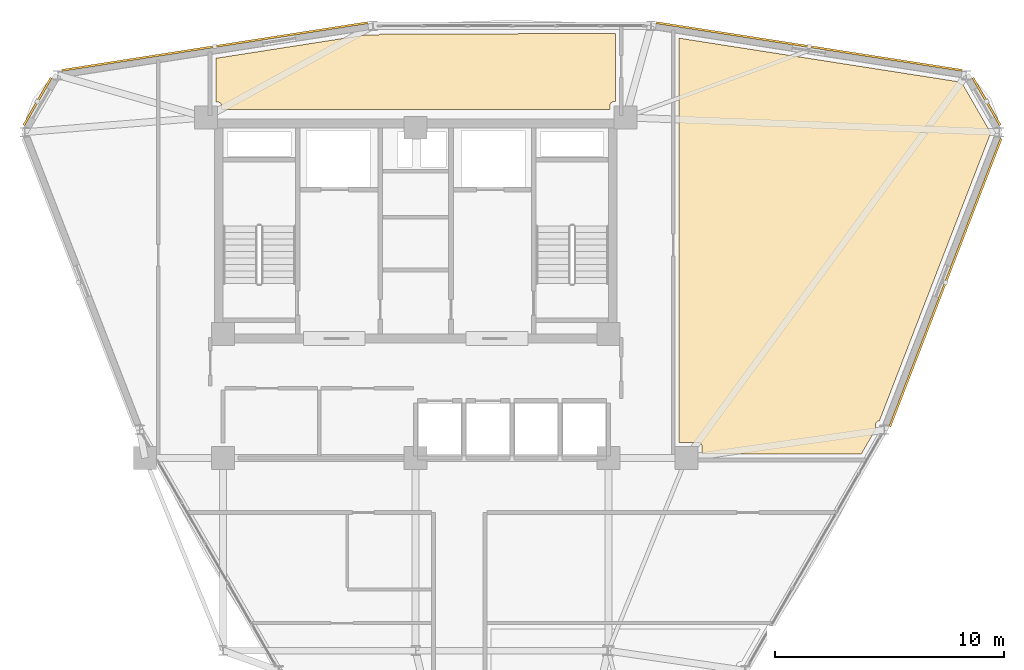
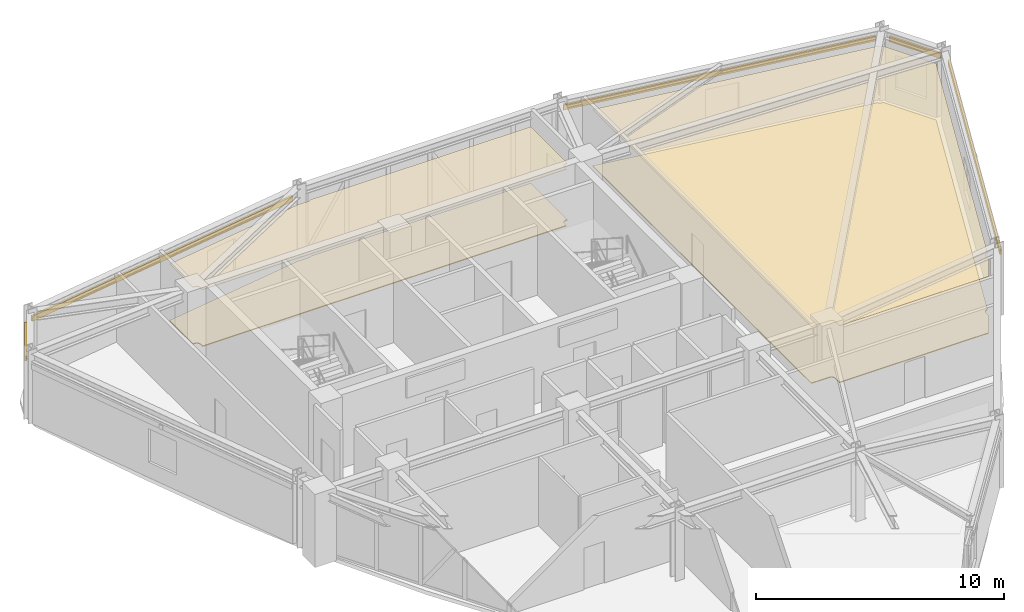
# One storey, part 16 of 16: 5 shading devices, 4 coverings.
"""IFC4 building model written with IfcOpenShell, lengths in metres."""

import ifcopenshell
import ifcopenshell.guid

model = None  # the IFC model being written
_history = None  # IfcOwnerHistory: only IFC2X3 demands one
_inside = {}  # id of a spatial element -> (the spatial element, [elements in it])
_under = {}  # id of a project, library or spatial element -> (it, [spatial elements below it])
_declared = {}  # id of a project -> (the project, [libraries it declares])
_typed = {}  # id of a type object -> (the type object, [elements of that type])
_made_of = {}  # id of a material, layer set ... -> (it, [elements and type objects made of it])


def new_model(schema):
    """Start an empty IFC model of exactly this schema.

    Asked for "IFC4X3", IfcOpenShell would pick the latest addendum, in which some entities
    have other attributes; the version numbers below select the first issue.
    IFC2X3 requires an IfcOwnerHistory on every rooted entity: one is made here for all.
    """
    global model, _history
    if schema == "IFC4X3":
        model = ifcopenshell.file(schema_version=(4, 3, 0, 0))
    else:
        model = ifcopenshell.file(schema=schema)
    _inside.clear()
    _under.clear()
    _declared.clear()
    _typed.clear()
    _made_of.clear()
    _history = None
    if model.schema == "IFC2X3":
        org = make("IfcOrganization", Name="unknown")
        user = make(
            "IfcPersonAndOrganization",
            ThePerson=make("IfcPerson", FamilyName="unknown"),
            TheOrganization=org,
        )
        app = make(
            "IfcApplication",
            ApplicationDeveloper=org,
            Version="unknown",
            ApplicationFullName="unknown",
            ApplicationIdentifier="unknown",
        )
        _history = make(
            "IfcOwnerHistory",
            OwningUser=user,
            OwningApplication=app,
            ChangeAction="ADDED",
            CreationDate=0,
        )
    return model


def make(cls, **values):
    """One entity of the class cls with the attributes given. An attribute that is None is left unset."""
    return model.create_entity(
        cls, **{name: value for name, value in values.items() if value is not None}
    )


def rooted(cls, **values):
    """An entity with a GlobalId (a new one), such as an element, a storey or a relation."""
    return make(cls, GlobalId=ifcopenshell.guid.new(), OwnerHistory=_history, **values)


def si_unit(unit_type, name, prefix=None):
    """IfcSIUnit, for example si_unit("LENGTHUNIT", "METRE", prefix="MILLI")."""
    return make("IfcSIUnit", UnitType=unit_type, Prefix=prefix, Name=name)


def derived_unit(unit_type, elements):
    """IfcDerivedUnit: a product of units, each with its exponent."""
    return make(
        "IfcDerivedUnit",
        Elements=[
            make("IfcDerivedUnitElement", Unit=unit, Exponent=power)
            for unit, power in elements
        ],
        UnitType=unit_type,
    )


def assignment(units):
    """IfcUnitAssignment: the units of a project."""
    return None if units is None else make("IfcUnitAssignment", Units=units)


def point(xyz):
    """IfcCartesianPoint."""
    return None if xyz is None else make("IfcCartesianPoint", Coordinates=xyz)


def direction(xyz):
    """IfcDirection."""
    return None if xyz is None else make("IfcDirection", DirectionRatios=xyz)


def frame(location, z_axis=None, x_axis=None):
    """IfcAxis2Placement3D, a coordinate frame: its origin and axes. An axis left out is left unset."""
    return make(
        "IfcAxis2Placement3D",
        Location=point(location),
        Axis=direction(z_axis),
        RefDirection=direction(x_axis),
    )


def frame_2d(location, x_axis=None):
    """IfcAxis2Placement2D, a coordinate frame in the plane: its origin and x axis."""
    return make(
        "IfcAxis2Placement2D", Location=point(location), RefDirection=direction(x_axis)
    )


def origin():
    """The frame at (0, 0, 0) with its axes left unset."""
    return frame((0.0, 0.0, 0.0))


def origin_2d():
    """The frame at (0, 0) in the plane with its x axis left unset."""
    return frame_2d((0.0, 0.0))


def place(relative_to, where):
    """IfcLocalPlacement: puts the frame where relative to a parent placement (None: the world)."""
    return make(
        "IfcLocalPlacement", PlacementRelTo=relative_to, RelativePlacement=where
    )


def context(
    kind, dimensions, precision=None, world=None, true_north=None, identifier=None
):
    """IfcGeometricRepresentationContext, for example the 3D "Model" context."""
    return make(
        "IfcGeometricRepresentationContext",
        ContextIdentifier=identifier,
        ContextType=kind,
        CoordinateSpaceDimension=dimensions,
        Precision=precision,
        WorldCoordinateSystem=world,
        TrueNorth=true_north,
    )


def subcontext(parent, identifier, kind, view, scale=None):
    """IfcGeometricRepresentationSubContext, for example "Body" below "Model"."""
    return make(
        "IfcGeometricRepresentationSubContext",
        ContextIdentifier=identifier,
        ContextType=kind,
        ParentContext=parent,
        TargetScale=scale,
        TargetView=view,
    )


def project(units=None, contexts=None):
    """IfcProject with its units and contexts."""
    return rooted(
        "IfcProject",
        Name="project",
        RepresentationContexts=contexts,
        UnitsInContext=assignment(units),
    )


def spatial(cls, under=None, at=None, **own):
    """A site, building, storey or space (cls), placed at a placement, below another one or the project."""
    s = rooted(cls, ObjectPlacement=at, **own)
    if under is not None:
        _under.setdefault(under.id(), (under, []))[1].append(s)
    return s


def polyline(points):
    """IfcPolyline through the points."""
    return make("IfcPolyline", Points=[point(p) for p in points])


def profile(cls, at=None, kind="AREA", **sizes):
    """A parametric profile (cls). Its sizes go by their IFC names, for example OverallWidth=200.0."""
    return make(cls, ProfileType=kind, Position=at, **sizes)


def hollow_rectangle(**sizes):
    """IfcRectangleHollowProfileDef."""
    return profile("IfcRectangleHollowProfileDef", **sizes)


def outline(outer, holes=None, kind="AREA"):
    """IfcArbitraryClosedProfileDef: a profile drawn as a closed curve; with holes, ...WithVoids."""
    if holes is None:
        return make("IfcArbitraryClosedProfileDef", ProfileType=kind, OuterCurve=outer)
    return make(
        "IfcArbitraryProfileDefWithVoids",
        ProfileType=kind,
        OuterCurve=outer,
        InnerCurves=holes,
    )


def extrude(swept, where, along, depth):
    """IfcExtrudedAreaSolid: the profile swept, set in the frame where, extruded along a direction by depth."""
    return make(
        "IfcExtrudedAreaSolid",
        SweptArea=swept,
        Position=where,
        ExtrudedDirection=direction(along),
        Depth=depth,
    )


def shape(context_of_items, identifier, shape_type, items):
    """IfcShapeRepresentation: the items that make up one representation, for example the "Body"."""
    return make(
        "IfcShapeRepresentation",
        ContextOfItems=context_of_items,
        RepresentationIdentifier=identifier,
        RepresentationType=shape_type,
        Items=items,
    )


def source(mapping_origin, context_of_items, identifier, shape_type, items):
    """IfcRepresentationMap: a shape defined once, which mapped items show again and again."""
    return make(
        "IfcRepresentationMap",
        MappingOrigin=mapping_origin,
        MappedRepresentation=shape(context_of_items, identifier, shape_type, items),
    )


def transform(
    local_origin,
    x_axis=None,
    y_axis=None,
    z_axis=None,
    scale=None,
    scale2=None,
    scale3=None,
    uniform=True,
):
    """IfcCartesianTransformationOperator3D, or its non-uniform kind. x_axis, y_axis, z_axis: its Axis1, 2, 3."""
    if uniform:
        return make(
            "IfcCartesianTransformationOperator3D",
            Axis1=direction(x_axis),
            Axis2=direction(y_axis),
            LocalOrigin=point(local_origin),
            Scale=scale,
            Axis3=direction(z_axis),
        )
    return make(
        "IfcCartesianTransformationOperator3DnonUniform",
        Axis1=direction(x_axis),
        Axis2=direction(y_axis),
        LocalOrigin=point(local_origin),
        Scale=scale,
        Axis3=direction(z_axis),
        Scale2=scale2,
        Scale3=scale3,
    )


def mapped(mapping_source, mapping_target):
    """IfcMappedItem: shows the shape of a source again, moved by a transform."""
    return make(
        "IfcMappedItem", MappingSource=mapping_source, MappingTarget=mapping_target
    )


def material(Name=None, Category=None):
    """IfcMaterial."""
    return make("IfcMaterial", Name=Name, Category=Category)


def layer(
    of_material, thickness, ventilated=None, Name=None, Category=None, Priority=None
):
    """IfcMaterialLayer: one layer of a wall or slab, of a material (None: an air gap)."""
    return make(
        "IfcMaterialLayer",
        Material=of_material,
        LayerThickness=thickness,
        IsVentilated=ventilated,
        Name=Name,
        Category=Category,
        Priority=Priority,
    )


def layer_set(layers, Name=None):
    """IfcMaterialLayerSet."""
    return make("IfcMaterialLayerSet", MaterialLayers=layers, LayerSetName=Name)


def material_profile(
    of_material, cross_section, Name=None, Category=None, Priority=None
):
    """IfcMaterialProfile: a cross section and its material."""
    return make(
        "IfcMaterialProfile",
        Name=Name,
        Material=of_material,
        Profile=cross_section,
        Priority=Priority,
        Category=Category,
    )


def profile_set(profiles, Name=None, composite=None):
    """IfcMaterialProfileSet."""
    return make(
        "IfcMaterialProfileSet",
        Name=Name,
        MaterialProfiles=profiles,
        CompositeProfile=composite,
    )


def made_of(thing, what):
    """Note that an element or type object is made of a material, layer set ...; save() writes the relation."""
    if what is not None:
        _made_of.setdefault(what.id(), (what, []))[1].append(thing)
    return thing


def type_object(cls, material=None, **own):
    """A type object (cls), such as IfcWallType, which elements share."""
    return made_of(rooted(cls, **own), material)


def element(
    cls,
    number,
    at=None,
    inside=None,
    cuts=None,
    type_object=None,
    material=None,
    context=None,
    identifier="Body",
    shape_type=None,
    held_by="IfcProductDefinitionShape",
    body=None,
    shapes=None,
    **own,
):
    """One element of the class cls, such as IfcWall. Its Tag is "e" and its number.

    at: its placement. inside: the storey or other place that contains it. cuts: it is an
    opening in that element (IfcRelVoidsElement). A single representation is given by context,
    identifier, shape_type and body (its items); several are given by shapes. held_by: the class
    of the entity that holds the representations. save() writes the other relations.
    """
    e = rooted(cls, Tag="e%d" % number, ObjectPlacement=at, **own)
    if body is not None:
        shapes = [shape(context, identifier, shape_type, body)]
    if shapes is not None:
        e.Representation = make(held_by, Representations=shapes)
    if inside is not None:
        _inside.setdefault(inside.id(), (inside, []))[1].append(e)
    if cuts is not None:
        rooted(
            "IfcRelVoidsElement", RelatingBuildingElement=cuts, RelatedOpeningElement=e
        )
    if type_object is not None:
        _typed.setdefault(type_object.id(), (type_object, []))[1].append(e)
    return made_of(e, material)


def aggregate(whole, parts):
    """IfcRelAggregates: a whole, such as a stair, and the parts it consists of."""
    return rooted("IfcRelAggregates", RelatingObject=whole, RelatedObjects=parts)


def save(model, path):
    """Write the relations noted so far, then the file.

    IfcRelAggregates (storeys below a building ...), IfcRelContainedInSpatialStructure (elements
    in a storey), IfcRelDefinesByType, IfcRelAssociatesMaterial and IfcRelDeclares: one each for
    every whole, place, type object, material and project.
    """
    for whole, parts in _under.values():
        aggregate(whole, parts)
    for where, things in _inside.values():
        rooted(
            "IfcRelContainedInSpatialStructure",
            RelatedElements=things,
            RelatingStructure=where,
        )
    for kind, things in _typed.values():
        rooted("IfcRelDefinesByType", RelatedObjects=things, RelatingType=kind)
    for what, things in _made_of.values():
        rooted("IfcRelAssociatesMaterial", RelatedObjects=things, RelatingMaterial=what)
    for by, libraries in _declared.values():
        rooted("IfcRelDeclares", RelatingContext=by, RelatedDefinitions=libraries)
    model.write(path)


model = new_model("IFC4")

# Units and contexts
model_context = context("Model", 3, precision=1e-05, world=origin(), true_north=direction((0.0, 1.0)))
body_context = subcontext(model_context, "Body", "Model", "MODEL_VIEW")
ifc_project = project(units=[si_unit("LENGTHUNIT", "METRE"), si_unit("AREAUNIT", "SQUARE_METRE"), si_unit("VOLUMEUNIT", "CUBIC_METRE"), si_unit("PLANEANGLEUNIT", "RADIAN"), si_unit("MASSUNIT", "GRAM", prefix="KILO"), derived_unit("THERMALTRANSMITTANCEUNIT", [(si_unit("POWERUNIT", "WATT"), 1), (si_unit("LENGTHUNIT", "METRE"), -2), (si_unit("THERMODYNAMICTEMPERATUREUNIT", "KELVIN"), -1)])], contexts=[model_context])

# Site, building, storey
site_placement = place(None, origin())
site = spatial("IfcSite", under=ifc_project, at=site_placement, CompositionType="ELEMENT")
building_placement = place(site_placement, origin())
building = spatial("IfcBuilding", under=site, at=building_placement, Name="Korsvarv Bourse and Concert Hall", CompositionType="ELEMENT")
storey_placement = place(building_placement, frame((0.0, 0.0, 231.0)))
storey = spatial("IfcBuildingStorey", under=building, at=storey_placement, Name="L60", CompositionType="ELEMENT", Elevation=231.0)

# Coverings
ifc_material_1 = material(Name="Perforated mineral-wool and birch acoustic baffle ceiling", Category="wood")
ifc_layer_1 = layer(ifc_material_1, 0.02490234375)
ifc_layer_set_1 = layer_set([ifc_layer_1], Name="Perforated mineral-wool and birch acoustic baffle ceiling")
covering_type_1 = type_object("IfcCoveringType", Name="COV-CEIL-1", PredefinedType="CEILING", material=ifc_layer_set_1)
covering_1_placement = place(storey_placement, frame((0.0, 0.0, 2.7900390625)))
element("IfcCovering", 1, at=covering_1_placement, inside=storey, type_object=covering_type_1, Name="L60 acoustic baffle ceiling 1", PredefinedType="CEILING", context=body_context, shape_type="SweptSolid", body=[
    extrude(outline(polyline([(48.489990234375, 32.570068359375), (48.489990234375, 32.89990234375), (48.486572265625, 32.934814453125), (48.4765625, 32.968505859375), (48.4599609375, 32.99951171875), (48.43798828125, 33.026611328125), (48.410888671875, 33.049072265625), (48.380126953125, 33.06591796875), (48.3466796875, 33.076171875), (48.311767578125, 33.080078125), (47.47998046875, 33.088134765625), (47.47998046875, 50.70703125), (59.6337890625, 48.81201171875), (59.647705078125, 48.78759765625), (59.6708984375, 48.760009765625), (59.699462890625, 48.73779296875), (59.731689453125, 48.721435546875), (59.766357421875, 48.712158203125), (59.84228515625, 48.706298828125), (61.05419921875, 46.60693359375), (61.05419921875, 46.53271484375), (56.21923828125, 34.026611328125), (56.19287109375, 34.023681640625), (56.159912109375, 34.013916015625), (56.129150390625, 33.998291015625), (56.102294921875, 33.976806640625), (56.079833984375, 33.95068359375), (56.062744140625, 33.920654296875), (56.0517578125, 33.887939453125), (56.047119140625, 33.853759765625), (56.038818359375, 33.631591796875), (55.426025390625, 32.570068359375), (48.489990234375, 32.570068359375)])), origin(), (0.0, 0.0, 1.0), 0.02490234375),
])
covering_2_placement = place(storey_placement, frame((0.0, 0.0, 2.7900390625)))
element("IfcCovering", 2, at=covering_2_placement, inside=storey, type_object=covering_type_1, Name="L60 acoustic baffle ceiling 3", PredefinedType="CEILING", context=body_context, shape_type="SweptSolid", body=[
    extrude(outline(polyline([(33.87890625, 50.856689453125), (33.905517578125, 50.851318359375), (34.338134765625, 50.843017578125), (34.37451171875, 50.84619140625), (34.4091796875, 50.8564453125), (34.44140625, 50.87353515625), (34.469482421875, 50.896728515625), (44.7099609375, 50.901123046875), (44.7099609375, 47.93994140625), (44.64990234375, 47.93994140625), (44.615478515625, 47.936767578125), (44.582275390625, 47.9267578125), (44.5517578125, 47.910888671875), (44.524658203125, 47.88916015625), (44.502197265625, 47.86279296875), (44.4853515625, 47.83251953125), (44.474365234375, 47.799560546875), (44.47021484375, 47.765380859375), (44.465087890625, 47.60009765625), (27.5400390625, 47.60009765625), (27.5400390625, 47.75), (27.53662109375, 47.7841796875), (27.527099609375, 47.817138671875), (27.510986328125, 47.84765625), (27.48974609375, 47.874755859375), (27.463623046875, 47.897216796875), (27.433837890625, 47.914306640625), (27.4013671875, 47.92529296875), (27.3671875, 47.929931640625), (27.2900390625, 47.932861328125), (27.2900390625, 49.8291015625), (33.87890625, 50.856689453125)])), origin(), (0.0, 0.0, 1.0), 0.02490234375),
])
ifc_material_2 = material(Name="Calcium-sulphate raised access trading floor with Nordic oak top", Category="wood")
ifc_layer_2 = layer(ifc_material_2, 0.0400390625)
ifc_layer_set_2 = layer_set([ifc_layer_2], Name="Calcium-sulphate raised access trading floor with Nordic oak top")
covering_type_2 = type_object("IfcCoveringType", Name="COV-FLOR-1", PredefinedType="FLOORING", material=ifc_layer_set_2)
covering_3_placement = place(storey_placement, origin())
element("IfcCovering", 3, at=covering_3_placement, inside=storey, type_object=covering_type_2, Name="L60 raised access oak floor finish 1", PredefinedType="FLOORING", context=body_context, shape_type="SweptSolid", body=[
    extrude(outline(polyline([(48.489990234375, 32.570068359375), (48.489990234375, 32.89990234375), (48.486572265625, 32.934814453125), (48.4765625, 32.968505859375), (48.4599609375, 32.99951171875), (48.43798828125, 33.026611328125), (48.410888671875, 33.049072265625), (48.380126953125, 33.06591796875), (48.3466796875, 33.076171875), (48.311767578125, 33.080078125), (47.47998046875, 33.088134765625), (47.47998046875, 50.70703125), (59.6337890625, 48.81201171875), (59.647705078125, 48.78759765625), (59.6708984375, 48.760009765625), (59.699462890625, 48.73779296875), (59.731689453125, 48.721435546875), (59.766357421875, 48.712158203125), (59.84228515625, 48.706298828125), (61.05419921875, 46.60693359375), (61.05419921875, 46.53271484375), (56.21923828125, 34.026611328125), (56.19287109375, 34.023681640625), (56.159912109375, 34.013916015625), (56.129150390625, 33.998291015625), (56.102294921875, 33.976806640625), (56.079833984375, 33.95068359375), (56.062744140625, 33.920654296875), (56.0517578125, 33.887939453125), (56.047119140625, 33.853759765625), (56.038818359375, 33.631591796875), (55.426025390625, 32.570068359375), (48.489990234375, 32.570068359375)])), origin(), (0.0, 0.0, 1.0), 0.0400390625),
])
covering_4_placement = place(storey_placement, origin())
element("IfcCovering", 4, at=covering_4_placement, inside=storey, type_object=covering_type_2, Name="L60 raised access oak floor finish 3", PredefinedType="FLOORING", context=body_context, shape_type="SweptSolid", body=[
    extrude(outline(polyline([(33.87890625, 50.856689453125), (33.905517578125, 50.851318359375), (34.338134765625, 50.843017578125), (34.37451171875, 50.84619140625), (34.4091796875, 50.8564453125), (34.44140625, 50.87353515625), (34.469482421875, 50.896728515625), (44.7099609375, 50.901123046875), (44.7099609375, 47.93994140625), (44.64990234375, 47.93994140625), (44.615478515625, 47.936767578125), (44.582275390625, 47.9267578125), (44.5517578125, 47.910888671875), (44.524658203125, 47.88916015625), (44.502197265625, 47.86279296875), (44.4853515625, 47.83251953125), (44.474365234375, 47.799560546875), (44.47021484375, 47.765380859375), (44.465087890625, 47.60009765625), (27.5400390625, 47.60009765625), (27.5400390625, 47.75), (27.53662109375, 47.7841796875), (27.527099609375, 47.817138671875), (27.510986328125, 47.84765625), (27.48974609375, 47.874755859375), (27.463623046875, 47.897216796875), (27.433837890625, 47.914306640625), (27.4013671875, 47.92529296875), (27.3671875, 47.929931640625), (27.2900390625, 47.932861328125), (27.2900390625, 49.8291015625), (33.87890625, 50.856689453125)])), origin(), (0.0, 0.0, 1.0), 0.0400390625),
])

# Shading devices
ifc_material_3 = material(Name="Glazed extruded architectural terracotta", Category="ceramic")
ifc_material_profile = material_profile(ifc_material_3, hollow_rectangle(XDim=0.090087890625, YDim=0.260009765625, WallThickness=0.011962890625, at=origin_2d()), Name="TC-BAG 90x260")
ifc_profile_set = profile_set([ifc_material_profile], Name="Glazed extruded architectural terracotta")
shading_device_type = type_object("IfcShadingDeviceType", Name="SHD-BAG-1", PredefinedType="USERDEFINED", material=ifc_profile_set)
shared_shape_1 = source(origin(), body_context, "Body", "SweptSolid", [
    extrude(hollow_rectangle(XDim=0.090087890625, YDim=0.260009765625, WallThickness=0.011962890625, at=origin_2d()), origin(), (0.0, 0.0, 1.0), 2.384765625),
])
for number, where, z_axis, x_axis, name in (
    (5, (61.484619140625, 46.911865234375, 2.860107421875), (-0.500014901547, 0.866016800201, 0.0), (-0.866016800201, -0.500014901547, 0.0), "L60 terracotta baguette sunshade EW-L60-B01"),
    (6, (20.10791015625, 48.97705078125, 2.860107421875), (-0.500014901547, -0.866016800201, 0.0), (0.866016800201, -0.500014901547, 0.0), "L60 terracotta baguette sunshade EW-L60-B05"),
):
    element("IfcShadingDevice", number, at=place(storey_placement, frame(where, z_axis=z_axis, x_axis=x_axis)), inside=storey, type_object=shading_device_type, Name=name, ObjectType="BAGUETTE", PredefinedType="USERDEFINED", context=body_context, shape_type="MappedRepresentation", body=[
        mapped(shared_shape_1, transform((0.0, 0.0, 0.0), scale=1.0)),
    ])
shared_shape_2 = source(origin(), body_context, "Body", "SweptSolid", [
    extrude(hollow_rectangle(XDim=0.090087890625, YDim=0.260009765625, WallThickness=0.011962890625, at=origin_2d()), origin(), (0.0, 0.0, 1.0), 13.4921875),
])
shading_device_1_placement = place(storey_placement, frame((59.827880859375, 49.302978515625, 2.860107421875), z_axis=(-0.988061317715, 0.154061132134, 0.0), x_axis=(-0.154061132134, -0.988061317715, 0.0)))
element("IfcShadingDevice", 7, at=shading_device_1_placement, inside=storey, type_object=shading_device_type, Name="L60 terracotta baguette sunshade EW-L60-B02", ObjectType="BAGUETTE", PredefinedType="USERDEFINED", context=body_context, shape_type="MappedRepresentation", body=[
    mapped(shared_shape_2, transform((0.0, 0.0, 0.0), scale=1.0)),
])
shared_shape_3 = source(origin(), body_context, "Body", "SweptSolid", [
    extrude(hollow_rectangle(XDim=0.090087890625, YDim=0.260009765625, WallThickness=0.011962890625, at=origin_2d()), origin(), (0.0, 0.0, 1.0), 13.492431640625),
])
shading_device_2_placement = place(storey_placement, frame((33.9033203125, 51.381591796875, 2.800048828125), z_axis=(-0.988061747187, -0.154058377723, 0.0), x_axis=(0.154058377723, -0.988061747187, 0.0)))
element("IfcShadingDevice", 8, at=shading_device_2_placement, inside=storey, type_object=shading_device_type, Name="L60 terracotta baguette sunshade EW-L60-B04", ObjectType="BAGUETTE", PredefinedType="USERDEFINED", context=body_context, shape_type="MappedRepresentation", body=[
    mapped(shared_shape_3, transform((0.0, 0.0, 0.0), scale=1.0)),
])
shared_shape_4 = source(origin(), body_context, "Body", "SweptSolid", [
    extrude(hollow_rectangle(XDim=0.090087890625, YDim=0.260009765625, WallThickness=0.011962890625, at=origin_2d()), origin(), (0.0, 0.0, 1.0), 13.45654296875),
])
shading_device_3_placement = place(storey_placement, frame((56.675537109375, 33.779052734375, 2.860107421875), z_axis=(0.360627094776, 0.932710082777, 0.0), x_axis=(-0.932710082777, 0.360627094776, 0.0)))
element("IfcShadingDevice", 9, at=shading_device_3_placement, inside=storey, type_object=shading_device_type, Name="L60 terracotta baguette sunshade EW-L60-B12", ObjectType="BAGUETTE", PredefinedType="USERDEFINED", context=body_context, shape_type="MappedRepresentation", body=[
    mapped(shared_shape_4, transform((0.0, 0.0, 0.0), scale=1.0)),
])

save(model, "model.ifc")
